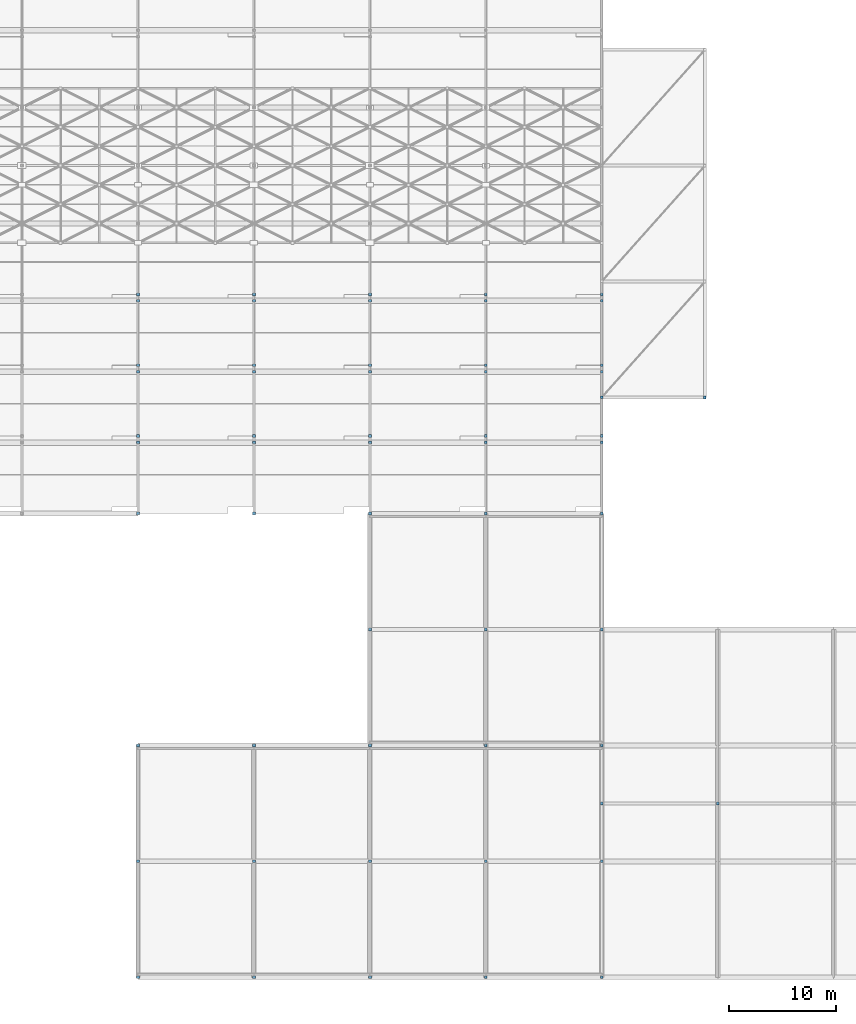
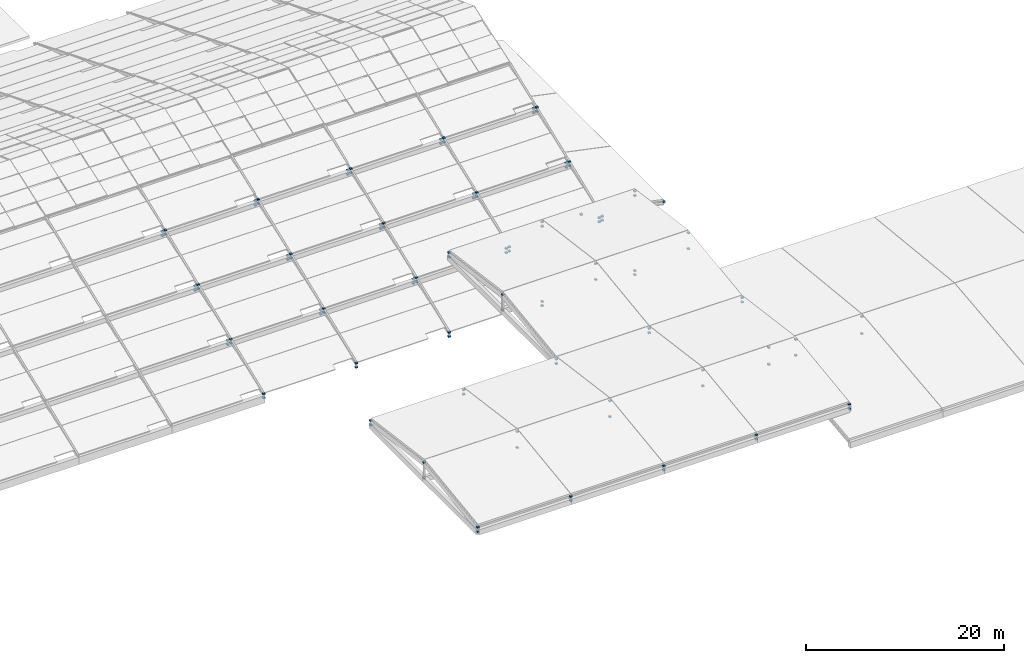
# One storey, part 109 of 112: 118 discrete accessories.
"""IFC4 building model written with IfcOpenShell, lengths in metres."""

from ifc_helpers import new_model, si_unit, direction, frame, origin, origin_2d, place, context, subcontext, project, spatial, rectangle, extrude, material, type_object, element, save


model = new_model("IFC4")

# Units and contexts
model_context = context("Model", 3, precision=1e-05, world=origin(), true_north=direction((0.0, 1.0)))
body_context = subcontext(model_context, "Body", "Model", "MODEL_VIEW")
ifc_project = project(units=[si_unit("LENGTHUNIT", "METRE"), si_unit("AREAUNIT", "SQUARE_METRE"), si_unit("VOLUMEUNIT", "CUBIC_METRE"), si_unit("PLANEANGLEUNIT", "RADIAN"), si_unit("MASSUNIT", "GRAM", prefix="KILO")], contexts=[model_context])

# Site, building, storey
site_placement = place(None, origin())
site = spatial("IfcSite", under=ifc_project, at=site_placement, CompositionType="ELEMENT")
building_placement = place(site_placement, origin())
building = spatial("IfcBuilding", under=site, at=building_placement, Name="Zwinboog Wholesale Market", CompositionType="ELEMENT")
storey_placement = place(building_placement, frame((0.0, 0.0, 19.080078125)))
storey = spatial("IfcBuildingStorey", under=building, at=storey_placement, Name="Roof", CompositionType="ELEMENT", Elevation=19.080078125)

# Discrete accessories
ifc_material = material(Name="Steel S355", Category="steel")
discrete_accessory_type = type_object("IfcDiscreteAccessoryType", Name="ACC-BRK-S355", PredefinedType="BRACKET", material=ifc_material)
discrete_accessory_placement = place(storey_placement, frame((182.39990234375, 54.0, -11.02001953125), z_axis=(0.0, 0.0, 1.0), x_axis=(1.0, 0.0, 0.0)))
element("IfcDiscreteAccessory", 1, at=discrete_accessory_placement, inside=storey, type_object=discrete_accessory_type, Name="BK-01 (ACC-BRK-001)", PredefinedType="BRACKET", context=body_context, shape_type="SweptSolid", body=[
    extrude(rectangle(XDim=0.239990234375, YDim=0.239990234375, at=origin_2d()), origin(), (0.0, 0.0, 1.0), 0.179931640625),
])
for number, where, z_axis, x_axis, name in (
    (2, (129.60009765625, 43.199951171875, -10.10986328125), (0.0, 0.0, 1.0), (1.0, 0.0, 0.0), "BK-01 (ACC-BRC-0199)"),
    (3, (129.60009765625, 43.199951171875, -9.60986328125), (0.0, 0.0, 1.0), (1.0, 0.0, 0.0), "BK-01 (ACC-BRC-0200)"),
    (4, (129.60009765625, 50.39990234375, -7.9599609375), (0.0, 0.0, 1.0), (1.0, 0.0, 0.0), "BK-01 (ACC-BRC-0201)"),
    (5, (129.60009765625, 50.39990234375, -7.4599609375), (0.0, 0.0, 1.0), (1.0, 0.0, 0.0), "BK-01 (ACC-BRC-0202)"),
    (6, (129.60009765625, 49.800048828125, -7.41015625), (0.0, 0.0, 1.0), (1.0, 0.0, 0.0), "BK-01 (ACC-BRC-0203)"),
    (7, (129.60009765625, 49.800048828125, -6.91015625), (0.0, 0.0, 1.0), (1.0, 0.0, 0.0), "BK-01 (ACC-BRC-0204)"),
    (8, (129.60009765625, 57.0, -5.26025390625), (0.0, 0.0, 1.0), (1.0, 0.0, 0.0), "BK-01 (ACC-BRC-0205)"),
    (9, (129.60009765625, 57.0, -4.76025390625), (0.0, 0.0, 1.0), (1.0, 0.0, 0.0), "BK-01 (ACC-BRC-0206)"),
    (10, (129.60009765625, 56.39990234375, -4.7099609375), (0.0, 0.0, 1.0), (1.0, 0.0, 0.0), "BK-01 (ACC-BRC-0207)"),
    (11, (129.60009765625, 56.39990234375, -4.2099609375), (0.0, 0.0, 1.0), (1.0, 0.0, 0.0), "BK-01 (ACC-BRC-0208)"),
    (12, (129.60009765625, 63.60009765625, -2.56005859375), (0.0, 0.0, 1.0), (1.0, 0.0, 0.0), "BK-01 (ACC-BRC-0209)"),
    (13, (129.60009765625, 63.60009765625, -2.06005859375), (0.0, 0.0, 1.0), (1.0, 0.0, 0.0), "BK-01 (ACC-BRC-0210)"),
    (14, (129.60009765625, 63.0, -2.01025390625), (0.0, 0.0, 1.0), (1.0, 0.0, 0.0), "BK-01 (ACC-BRC-0211)"),
    (15, (129.60009765625, 63.0, -1.51025390625), (0.0, 0.0, 1.0), (1.0, 0.0, 0.0), "BK-01 (ACC-BRC-0212)"),
    (16, (140.39990234375, 43.199951171875, -10.10986328125), (0.0, 0.0, 1.0), (1.0, 0.0, 0.0), "BK-01 (ACC-BRC-0232)"),
    (17, (140.39990234375, 43.199951171875, -9.60986328125), (0.0, 0.0, 1.0), (1.0, 0.0, 0.0), "BK-01 (ACC-BRC-0233)"),
    (18, (140.39990234375, 50.39990234375, -7.9599609375), (0.0, 0.0, 1.0), (1.0, 0.0, 0.0), "BK-01 (ACC-BRC-0234)"),
    (19, (140.39990234375, 50.39990234375, -7.4599609375), (0.0, 0.0, 1.0), (1.0, 0.0, 0.0), "BK-01 (ACC-BRC-0235)"),
    (20, (140.39990234375, 49.800048828125, -7.41015625), (0.0, 0.0, 1.0), (1.0, 0.0, 0.0), "BK-01 (ACC-BRC-0236)"),
    (21, (140.39990234375, 49.800048828125, -6.91015625), (0.0, 0.0, 1.0), (1.0, 0.0, 0.0), "BK-01 (ACC-BRC-0237)"),
    (22, (140.39990234375, 57.0, -5.26025390625), (0.0, 0.0, 1.0), (1.0, 0.0, 0.0), "BK-01 (ACC-BRC-0238)"),
    (23, (140.39990234375, 57.0, -4.76025390625), (0.0, 0.0, 1.0), (1.0, 0.0, 0.0), "BK-01 (ACC-BRC-0239)"),
    (24, (140.39990234375, 56.39990234375, -4.7099609375), (0.0, 0.0, 1.0), (1.0, 0.0, 0.0), "BK-01 (ACC-BRC-0240)"),
    (25, (140.39990234375, 56.39990234375, -4.2099609375), (0.0, 0.0, 1.0), (1.0, 0.0, 0.0), "BK-01 (ACC-BRC-0241)"),
    (26, (140.39990234375, 63.60009765625, -2.56005859375), (0.0, 0.0, 1.0), (1.0, 0.0, 0.0), "BK-01 (ACC-BRC-0242)"),
    (27, (140.39990234375, 63.60009765625, -2.06005859375), (0.0, 0.0, 1.0), (1.0, 0.0, 0.0), "BK-01 (ACC-BRC-0243)"),
    (28, (140.39990234375, 63.0, -2.01025390625), (0.0, 0.0, 1.0), (1.0, 0.0, 0.0), "BK-01 (ACC-BRC-0244)"),
    (29, (140.39990234375, 63.0, -1.51025390625), (0.0, 0.0, 1.0), (1.0, 0.0, 0.0), "BK-01 (ACC-BRC-0245)"),
    (30, (151.199951171875, 43.199951171875, -10.10986328125), (0.0, 0.0, 1.0), (1.0, 0.0, 0.0), "BK-01 (ACC-BRC-0265)"),
    (31, (151.199951171875, 43.199951171875, -9.60986328125), (0.0, 0.0, 1.0), (1.0, 0.0, 0.0), "BK-01 (ACC-BRC-0266)"),
    (32, (151.199951171875, 50.39990234375, -7.9599609375), (0.0, 0.0, 1.0), (1.0, 0.0, 0.0), "BK-01 (ACC-BRC-0267)"),
    (33, (151.199951171875, 50.39990234375, -7.4599609375), (0.0, 0.0, 1.0), (1.0, 0.0, 0.0), "BK-01 (ACC-BRC-0268)"),
    (34, (151.199951171875, 49.800048828125, -7.41015625), (0.0, 0.0, 1.0), (1.0, 0.0, 0.0), "BK-01 (ACC-BRC-0269)"),
    (35, (151.199951171875, 49.800048828125, -6.91015625), (0.0, 0.0, 1.0), (1.0, 0.0, 0.0), "BK-01 (ACC-BRC-0270)"),
    (36, (151.199951171875, 57.0, -5.26025390625), (0.0, 0.0, 1.0), (1.0, 0.0, 0.0), "BK-01 (ACC-BRC-0271)"),
    (37, (151.199951171875, 57.0, -4.76025390625), (0.0, 0.0, 1.0), (1.0, 0.0, 0.0), "BK-01 (ACC-BRC-0272)"),
    (38, (151.199951171875, 56.39990234375, -4.7099609375), (0.0, 0.0, 1.0), (1.0, 0.0, 0.0), "BK-01 (ACC-BRC-0273)"),
    (39, (151.199951171875, 56.39990234375, -4.2099609375), (0.0, 0.0, 1.0), (1.0, 0.0, 0.0), "BK-01 (ACC-BRC-0274)"),
    (40, (151.199951171875, 63.60009765625, -2.56005859375), (0.0, 0.0, 1.0), (1.0, 0.0, 0.0), "BK-01 (ACC-BRC-0275)"),
    (41, (151.199951171875, 63.60009765625, -2.06005859375), (0.0, 0.0, 1.0), (1.0, 0.0, 0.0), "BK-01 (ACC-BRC-0276)"),
    (42, (151.199951171875, 63.0, -2.01025390625), (0.0, 0.0, 1.0), (1.0, 0.0, 0.0), "BK-01 (ACC-BRC-0277)"),
    (43, (151.199951171875, 63.0, -1.51025390625), (0.0, 0.0, 1.0), (1.0, 0.0, 0.0), "BK-01 (ACC-BRC-0278)"),
    (44, (162.0, 43.199951171875, -10.10986328125), (0.0, 0.0, 1.0), (1.0, 0.0, 0.0), "BK-01 (ACC-BRC-0298)"),
    (45, (162.0, 43.199951171875, -9.60986328125), (0.0, 0.0, 1.0), (1.0, 0.0, 0.0), "BK-01 (ACC-BRC-0299)"),
    (46, (162.0, 50.39990234375, -7.9599609375), (0.0, 0.0, 1.0), (1.0, 0.0, 0.0), "BK-01 (ACC-BRC-0300)"),
    (47, (162.0, 50.39990234375, -7.4599609375), (0.0, 0.0, 1.0), (1.0, 0.0, 0.0), "BK-01 (ACC-BRC-0301)"),
    (48, (162.0, 49.800048828125, -7.41015625), (0.0, 0.0, 1.0), (1.0, 0.0, 0.0), "BK-01 (ACC-BRC-0302)"),
    (49, (162.0, 49.800048828125, -6.91015625), (0.0, 0.0, 1.0), (1.0, 0.0, 0.0), "BK-01 (ACC-BRC-0303)"),
    (50, (162.0, 57.0, -5.26025390625), (0.0, 0.0, 1.0), (1.0, 0.0, 0.0), "BK-01 (ACC-BRC-0304)"),
    (51, (162.0, 57.0, -4.76025390625), (0.0, 0.0, 1.0), (1.0, 0.0, 0.0), "BK-01 (ACC-BRC-0305)"),
    (52, (162.0, 56.39990234375, -4.7099609375), (0.0, 0.0, 1.0), (1.0, 0.0, 0.0), "BK-01 (ACC-BRC-0306)"),
    (53, (162.0, 56.39990234375, -4.2099609375), (0.0, 0.0, 1.0), (1.0, 0.0, 0.0), "BK-01 (ACC-BRC-0307)"),
    (54, (162.0, 63.60009765625, -2.56005859375), (0.0, 0.0, 1.0), (1.0, 0.0, 0.0), "BK-01 (ACC-BRC-0308)"),
    (55, (162.0, 63.60009765625, -2.06005859375), (0.0, 0.0, 1.0), (1.0, 0.0, 0.0), "BK-01 (ACC-BRC-0309)"),
    (56, (162.0, 63.0, -2.01025390625), (0.0, 0.0, 1.0), (1.0, 0.0, 0.0), "BK-01 (ACC-BRC-0310)"),
    (57, (162.0, 63.0, -1.51025390625), (0.0, 0.0, 1.0), (1.0, 0.0, 0.0), "BK-01 (ACC-BRC-0311)"),
    (58, (172.800048828125, 43.199951171875, -10.10986328125), (0.0, 0.0, 1.0), (1.0, 0.0, 0.0), "BK-01 (ACC-BRC-0331)"),
    (59, (172.800048828125, 43.199951171875, -9.60986328125), (0.0, 0.0, 1.0), (1.0, 0.0, 0.0), "BK-01 (ACC-BRC-0332)"),
    (60, (172.800048828125, 50.39990234375, -7.9599609375), (0.0, 0.0, 1.0), (1.0, 0.0, 0.0), "BK-01 (ACC-BRC-0333)"),
    (61, (172.800048828125, 50.39990234375, -7.4599609375), (0.0, 0.0, 1.0), (1.0, 0.0, 0.0), "BK-01 (ACC-BRC-0334)"),
    (62, (172.800048828125, 49.800048828125, -7.41015625), (0.0, 0.0, 1.0), (1.0, 0.0, 0.0), "BK-01 (ACC-BRC-0335)"),
    (63, (172.800048828125, 49.800048828125, -6.91015625), (0.0, 0.0, 1.0), (1.0, 0.0, 0.0), "BK-01 (ACC-BRC-0336)"),
    (64, (172.800048828125, 57.0, -5.26025390625), (0.0, 0.0, 1.0), (1.0, 0.0, 0.0), "BK-01 (ACC-BRC-0337)"),
    (65, (172.800048828125, 57.0, -4.76025390625), (0.0, 0.0, 1.0), (1.0, 0.0, 0.0), "BK-01 (ACC-BRC-0338)"),
    (66, (172.800048828125, 56.39990234375, -4.7099609375), (0.0, 0.0, 1.0), (1.0, 0.0, 0.0), "BK-01 (ACC-BRC-0339)"),
    (67, (172.800048828125, 56.39990234375, -4.2099609375), (0.0, 0.0, 1.0), (1.0, 0.0, 0.0), "BK-01 (ACC-BRC-0340)"),
    (68, (172.800048828125, 63.60009765625, -2.56005859375), (0.0, 0.0, 1.0), (1.0, 0.0, 0.0), "BK-01 (ACC-BRC-0341)"),
    (69, (172.800048828125, 63.60009765625, -2.06005859375), (0.0, 0.0, 1.0), (1.0, 0.0, 0.0), "BK-01 (ACC-BRC-0342)"),
    (70, (172.800048828125, 63.0, -2.01025390625), (0.0, 0.0, 1.0), (1.0, 0.0, 0.0), "BK-01 (ACC-BRC-0343)"),
    (71, (172.800048828125, 63.0, -1.51025390625), (0.0, 0.0, 1.0), (1.0, 0.0, 0.0), "BK-01 (ACC-BRC-0344)"),
    (72, (172.800048828125, 16.199951171875, -4.75), (0.0, 0.0, 1.0), (1.0, 0.0, 0.0), "BK-01 (ACC-BRC-0606)"),
    (73, (172.800048828125, 16.199951171875, -2.66015625), (0.0, 0.0, 1.0), (1.0, 0.0, 0.0), "BK-01 (ACC-BRC-0607)"),
    (74, (183.60009765625, 16.199951171875, -4.75), (0.0, 0.0, 1.0), (1.0, 0.0, 0.0), "BK-01 (ACC-BRC-0608)"),
    (75, (183.60009765625, 16.199951171875, -2.66015625), (0.0, 0.0, 1.0), (1.0, 0.0, 0.0), "BK-01 (ACC-BRC-0609)"),
    (76, (129.60009765625, 0.0, -0.35986328125), (0.0, 0.0, 1.0), (1.0, 0.0, 0.0), "BK-01 (ACC-BRC-0616)"),
    (77, (129.60009765625, 0.0, 0.18994140625), (0.0, 0.0, 1.0), (1.0, 0.0, 0.0), "BK-01 (ACC-BRC-0617)"),
    (78, (129.60009765625, 21.60009765625, -0.35986328125), (0.0, 0.0, 1.0), (1.0, 0.0, 0.0), "BK-01 (ACC-BRC-0618)"),
    (79, (129.60009765625, 21.60009765625, 0.18994140625), (0.0, 0.0, 1.0), (1.0, 0.0, 0.0), "BK-01 (ACC-BRC-0619)"),
    (80, (129.60009765625, 10.800048828125, -0.35986328125), (0.0, 0.0, 1.0), (1.0, 0.0, 0.0), "BK-01 (ACC-BRC-0620)"),
    (81, (129.60009765625, 10.800048828125, 1.58984375), (0.0, 0.0, 1.0), (1.0, 0.0, 0.0), "BK-01 (ACC-BRC-0621)"),
    (82, (140.39990234375, 0.0, -0.35986328125), (0.0, 0.0, 1.0), (1.0, 0.0, 0.0), "BK-01 (ACC-BRC-0622)"),
    (83, (140.39990234375, 0.0, 0.18994140625), (0.0, 0.0, 1.0), (1.0, 0.0, 0.0), "BK-01 (ACC-BRC-0623)"),
    (84, (140.39990234375, 21.60009765625, -0.35986328125), (0.0, 0.0, 1.0), (1.0, 0.0, 0.0), "BK-01 (ACC-BRC-0624)"),
    (85, (140.39990234375, 21.60009765625, 0.18994140625), (0.0, 0.0, 1.0), (1.0, 0.0, 0.0), "BK-01 (ACC-BRC-0625)"),
    (86, (140.39990234375, 10.800048828125, -0.35986328125), (0.0, 0.0, 1.0), (1.0, 0.0, 0.0), "BK-01 (ACC-BRC-0626)"),
    (87, (140.39990234375, 10.800048828125, 1.58984375), (0.0, 0.0, 1.0), (1.0, 0.0, 0.0), "BK-01 (ACC-BRC-0627)"),
    (88, (151.199951171875, 0.0, -0.35986328125), (0.0, 0.0, 1.0), (1.0, 0.0, 0.0), "BK-01 (ACC-BRC-0628)"),
    (89, (151.199951171875, 0.0, 0.18994140625), (0.0, 0.0, 1.0), (1.0, 0.0, 0.0), "BK-01 (ACC-BRC-0629)"),
    (90, (151.199951171875, 21.60009765625, -0.35986328125), (0.0, 0.0, 1.0), (1.0, 0.0, 0.0), "BK-01 (ACC-BRC-0630)"),
    (91, (151.199951171875, 21.60009765625, 0.18994140625), (0.0, 0.0, 1.0), (1.0, 0.0, 0.0), "BK-01 (ACC-BRC-0631)"),
    (92, (151.199951171875, 10.800048828125, -0.35986328125), (0.0, 0.0, 1.0), (1.0, 0.0, 0.0), "BK-01 (ACC-BRC-0632)"),
    (93, (151.199951171875, 10.800048828125, 1.58984375), (0.0, 0.0, 1.0), (1.0, 0.0, 0.0), "BK-01 (ACC-BRC-0633)"),
    (94, (162.0, 0.0, -0.35986328125), (0.0, 0.0, 1.0), (1.0, 0.0, 0.0), "BK-01 (ACC-BRC-0634)"),
    (95, (162.0, 0.0, 0.18994140625), (0.0, 0.0, 1.0), (1.0, 0.0, 0.0), "BK-01 (ACC-BRC-0635)"),
    (96, (162.0, 21.60009765625, -0.35986328125), (0.0, 0.0, 1.0), (1.0, 0.0, 0.0), "BK-01 (ACC-BRC-0636)"),
    (97, (162.0, 21.60009765625, 0.18994140625), (0.0, 0.0, 1.0), (1.0, 0.0, 0.0), "BK-01 (ACC-BRC-0637)"),
    (98, (162.0, 10.800048828125, -0.35986328125), (0.0, 0.0, 1.0), (1.0, 0.0, 0.0), "BK-01 (ACC-BRC-0638)"),
    (99, (162.0, 10.800048828125, 1.58984375), (0.0, 0.0, 1.0), (1.0, 0.0, 0.0), "BK-01 (ACC-BRC-0639)"),
    (100, (172.800048828125, 0.0, -0.35986328125), (0.0, 0.0, 1.0), (1.0, 0.0, 0.0), "BK-01 (ACC-BRC-0640)"),
    (101, (172.800048828125, 0.0, 0.18994140625), (0.0, 0.0, 1.0), (1.0, 0.0, 0.0), "BK-01 (ACC-BRC-0641)"),
    (102, (172.800048828125, 21.60009765625, -0.35986328125), (0.0, 0.0, 1.0), (1.0, 0.0, 0.0), "BK-01 (ACC-BRC-0642)"),
    (103, (172.800048828125, 21.60009765625, 0.18994140625), (0.0, 0.0, 1.0), (1.0, 0.0, 0.0), "BK-01 (ACC-BRC-0643)"),
    (104, (172.800048828125, 10.800048828125, -0.35986328125), (0.0, 0.0, 1.0), (1.0, 0.0, 0.0), "BK-01 (ACC-BRC-0644)"),
    (105, (172.800048828125, 10.800048828125, 1.58984375), (0.0, 0.0, 1.0), (1.0, 0.0, 0.0), "BK-01 (ACC-BRC-0645)"),
    (106, (151.199951171875, 43.199951171875, -0.35986328125), (0.0, 0.0, 1.0), (1.0, 0.0, 0.0), "BK-01 (ACC-BRC-0646)"),
    (107, (151.199951171875, 43.199951171875, 0.18994140625), (0.0, 0.0, 1.0), (1.0, 0.0, 0.0), "BK-01 (ACC-BRC-0647)"),
    (108, (151.199951171875, 32.39990234375, -0.35986328125), (0.0, 0.0, 1.0), (1.0, 0.0, 0.0), "BK-01 (ACC-BRC-0648)"),
    (109, (151.199951171875, 32.39990234375, 1.58984375), (0.0, 0.0, 1.0), (1.0, 0.0, 0.0), "BK-01 (ACC-BRC-0649)"),
    (110, (162.0, 43.199951171875, -0.35986328125), (0.0, 0.0, 1.0), (1.0, 0.0, 0.0), "BK-01 (ACC-BRC-0650)"),
    (111, (162.0, 43.199951171875, 0.18994140625), (0.0, 0.0, 1.0), (1.0, 0.0, 0.0), "BK-01 (ACC-BRC-0651)"),
    (112, (162.0, 32.39990234375, -0.35986328125), (0.0, 0.0, 1.0), (1.0, 0.0, 0.0), "BK-01 (ACC-BRC-0652)"),
    (113, (162.0, 32.39990234375, 1.58984375), (0.0, 0.0, 1.0), (1.0, 0.0, 0.0), "BK-01 (ACC-BRC-0653)"),
    (114, (172.800048828125, 43.199951171875, -0.35986328125), (0.0, 0.0, 1.0), (1.0, 0.0, 0.0), "BK-01 (ACC-BRC-0654)"),
    (115, (172.800048828125, 43.199951171875, 0.18994140625), (0.0, 0.0, 1.0), (1.0, 0.0, 0.0), "BK-01 (ACC-BRC-0655)"),
    (116, (172.800048828125, 32.39990234375, -0.35986328125), (0.0, 0.0, 1.0), (1.0, 0.0, 0.0), "BK-01 (ACC-BRC-0656)"),
    (117, (172.800048828125, 32.39990234375, 1.58984375), (0.0, 0.0, 1.0), (1.0, 0.0, 0.0), "BK-01 (ACC-BRC-0657)"),
    (118, (172.800048828125, 54.02001953125, -9.240234375), (0.0, 0.0, 1.0), (1.0, 0.0, 0.0), "BK-01 (ACC-BRC-0658)"),
):
    element("IfcDiscreteAccessory", number, at=place(storey_placement, frame(where, z_axis=z_axis, x_axis=x_axis)), inside=storey, type_object=discrete_accessory_type, Name=name, PredefinedType="BRACKET", context=body_context, shape_type="SweptSolid", body=[
        extrude(rectangle(XDim=0.260009765625, YDim=0.260009765625, at=origin_2d()), origin(), (0.0, 0.0, 1.0), 0.159912109375),
    ])

save(model, "model.ifc")
